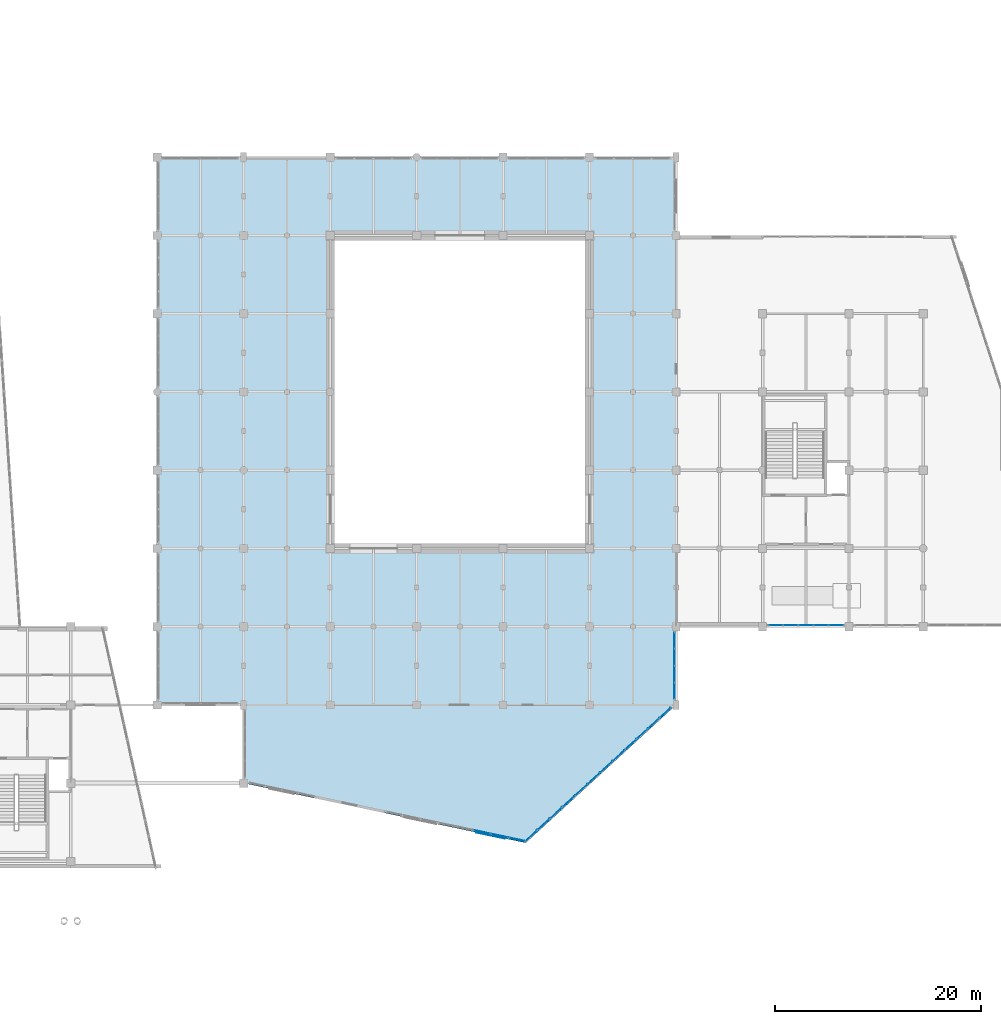
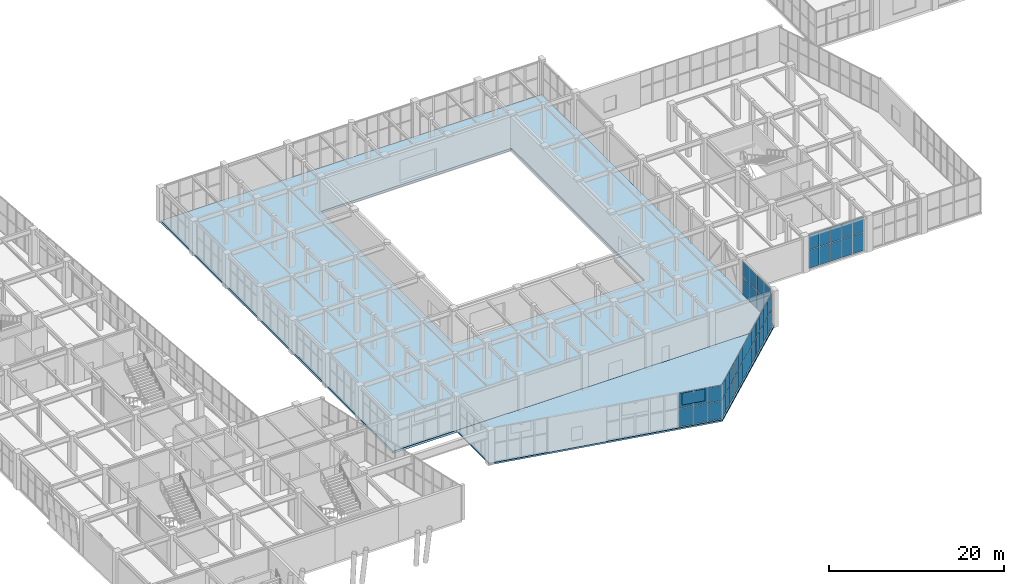
# One storey, part 97 of 128: 49 plates, 2 slabs, 6 elements without a shape of their own.
"""IFC4 building model written with IfcOpenShell, lengths in metres."""

from ifc_helpers import new_model, si_unit, direction, frame, origin, origin_2d, place, context, subcontext, project, spatial, polyline, rectangle, outline, extrude, material, layer, layer_set, type_object, element, aggregate, save


model = new_model("IFC4")

# Units and contexts
model_context = context("Model", 3, precision=1e-05, world=origin(), true_north=direction((0.0, 1.0)))
body_context = subcontext(model_context, "Body", "Model", "MODEL_VIEW")
ifc_project = project(units=[si_unit("LENGTHUNIT", "METRE"), si_unit("AREAUNIT", "SQUARE_METRE"), si_unit("VOLUMEUNIT", "CUBIC_METRE"), si_unit("PLANEANGLEUNIT", "RADIAN"), si_unit("MASSUNIT", "GRAM", prefix="KILO")], contexts=[model_context])

# Site, building, storey
site_placement = place(None, origin())
site = spatial("IfcSite", under=ifc_project, at=site_placement, CompositionType="ELEMENT")
building_placement = place(site_placement, origin())
building = spatial("IfcBuilding", under=site, at=building_placement, Name="Xicomal Pleat Aquarium", CompositionType="ELEMENT")
storey_placement = place(building_placement, frame((0.0, 0.0, 5.39990234375)))
storey = spatial("IfcBuildingStorey", under=building, at=storey_placement, Name="L02", CompositionType="ELEMENT", Elevation=5.39990234375)

# Curtain wall, plates
ifc_material_1 = material(Name="Bronze anodized aluminium 6063-T6", Category="aluminium")
ifc_layer_1 = layer(ifc_material_1, 0.159912109375)
ifc_layer_set_1 = layer_set([ifc_layer_1], Name="Bronze anodized aluminium 6063-T6")
curtain_wall_type_1 = type_object("IfcCurtainWallType", Name="CW-SYS-02", PredefinedType="NOTDEFINED", material=ifc_layer_set_1)
curtain_wall_1_placement = place(storey_placement, origin())
curtain_wall_1 = element("IfcCurtainWall", 1, at=curtain_wall_1_placement, inside=storey, type_object=curtain_wall_type_1, Name="L02 unitised curtain wall CW-L02-120", PredefinedType="NOTDEFINED")
ifc_material_2 = material(Name="Insulated low-E laminated glass", Category="glass")
ifc_layer_2 = layer(ifc_material_2, 0.028076171875)
ifc_layer_set_2 = layer_set([ifc_layer_2], Name="Insulated low-E laminated glass")
plate_type_1 = type_object("IfcPlateType", Name="CWP-GLZ-28", PredefinedType="CURTAIN_PANEL", material=ifc_layer_set_2)
plate_1_placement = place(storey_placement, frame((88.617919921875, 25.466796875, 0.06494140625), z_axis=(0.0, 0.0, 1.0), x_axis=(-0.736739207358, -0.676177003707, 0.0)))
plate_1 = element("IfcPlate", 2, at=plate_1_placement, type_object=plate_type_1, Name="CW-02 panel 1.1", PredefinedType="CURTAIN_PANEL", context=body_context, shape_type="SweptSolid", body=[
    extrude(rectangle(XDim=1.5537109375, YDim=0.028076171875, at=origin_2d()), origin(), (0.0, 0.0, 1.0), 2.526611328125),
])
plate_2_placement = place(storey_placement, frame((88.617919921875, 25.466796875, 2.65673828125), z_axis=(0.0, 0.0, 1.0), x_axis=(-0.736739207358, -0.676177003707, 0.0)))
plate_2 = element("IfcPlate", 3, at=plate_2_placement, type_object=plate_type_1, Name="CW-02 panel 1.2", PredefinedType="CURTAIN_PANEL", context=body_context, shape_type="SweptSolid", body=[
    extrude(rectangle(XDim=1.5537109375, YDim=0.028076171875, at=origin_2d()), origin(), (0.0, 0.0, 1.0), 2.138427734375),
])
plate_3_placement = place(storey_placement, frame((87.413330078125, 24.361328125, 0.06494140625), z_axis=(0.0, 0.0, 1.0), x_axis=(-0.736739207358, -0.676177003707, 0.0)))
plate_3 = element("IfcPlate", 4, at=plate_3_placement, type_object=plate_type_1, Name="CW-02 panel 2.1", PredefinedType="CURTAIN_PANEL", context=body_context, shape_type="SweptSolid", body=[
    extrude(rectangle(XDim=1.586181640625, YDim=0.028076171875, at=origin_2d()), origin(), (0.0, 0.0, 1.0), 2.526611328125),
])
plate_4_placement = place(storey_placement, frame((87.413330078125, 24.361328125, 2.65673828125), z_axis=(0.0, 0.0, 1.0), x_axis=(-0.736739207358, -0.676177003707, 0.0)))
plate_4 = element("IfcPlate", 5, at=plate_4_placement, type_object=plate_type_1, Name="CW-02 panel 2.2", PredefinedType="CURTAIN_PANEL", context=body_context, shape_type="SweptSolid", body=[
    extrude(rectangle(XDim=1.586181640625, YDim=0.028076171875, at=origin_2d()), origin(), (0.0, 0.0, 1.0), 2.138427734375),
])
plate_5_placement = place(storey_placement, frame((86.19677734375, 23.24462890625, 0.06494140625), z_axis=(0.0, 0.0, 1.0), x_axis=(-0.736739207358, -0.676177003707, 0.0)))
plate_5 = element("IfcPlate", 6, at=plate_5_placement, type_object=plate_type_1, Name="CW-02 panel 3.1", PredefinedType="CURTAIN_PANEL", context=body_context, shape_type="SweptSolid", body=[
    extrude(rectangle(XDim=1.586181640625, YDim=0.028076171875, at=origin_2d()), origin(), (0.0, 0.0, 1.0), 2.526611328125),
])
plate_6_placement = place(storey_placement, frame((86.19677734375, 23.24462890625, 2.65673828125), z_axis=(0.0, 0.0, 1.0), x_axis=(-0.736739207358, -0.676177003707, 0.0)))
plate_6 = element("IfcPlate", 7, at=plate_6_placement, type_object=plate_type_1, Name="CW-02 panel 3.2", PredefinedType="CURTAIN_PANEL", context=body_context, shape_type="SweptSolid", body=[
    extrude(rectangle(XDim=1.586181640625, YDim=0.028076171875, at=origin_2d()), origin(), (0.0, 0.0, 1.0), 2.138427734375),
])
plate_7_placement = place(storey_placement, frame((84.9921875, 22.13916015625, 0.06494140625), z_axis=(0.0, 0.0, 1.0), x_axis=(-0.736739207358, -0.676177003707, 0.0)))
plate_7 = element("IfcPlate", 8, at=plate_7_placement, type_object=plate_type_1, Name="CW-02 panel 4.1", PredefinedType="CURTAIN_PANEL", context=body_context, shape_type="SweptSolid", body=[
    extrude(rectangle(XDim=1.5537109375, YDim=0.028076171875, at=origin_2d()), origin(), (0.0, 0.0, 1.0), 2.526611328125),
])
plate_8_placement = place(storey_placement, frame((84.9921875, 22.13916015625, 2.65673828125), z_axis=(0.0, 0.0, 1.0), x_axis=(-0.736739207358, -0.676177003707, 0.0)))
plate_8 = element("IfcPlate", 9, at=plate_8_placement, type_object=plate_type_1, Name="CW-02 panel 4.2", PredefinedType="CURTAIN_PANEL", context=body_context, shape_type="SweptSolid", body=[
    extrude(rectangle(XDim=1.5537109375, YDim=0.028076171875, at=origin_2d()), origin(), (0.0, 0.0, 1.0), 2.138427734375),
])
aggregate(curtain_wall_1, [plate_1, plate_2, plate_3, plate_4, plate_5, plate_6, plate_7, plate_8])

curtain_wall_2_placement = place(storey_placement, origin())
curtain_wall_2 = element("IfcCurtainWall", 10, at=curtain_wall_2_placement, inside=storey, type_object=curtain_wall_type_1, Name="L02 unitised curtain wall CW-L02-117", PredefinedType="NOTDEFINED")
ifc_material_3 = material(Name="Insulated low-E laminated glass", Category="glass")
ifc_layer_3 = layer(ifc_material_3, 0.031982421875)
ifc_layer_set_3 = layer_set([ifc_layer_3], Name="Insulated low-E laminated glass")
plate_type_2 = type_object("IfcPlateType", Name="CWP-GLZ-32", PredefinedType="CURTAIN_PANEL", material=ifc_layer_set_3)
plate_9_placement = place(storey_placement, frame((109.727783203125, 38.139892578125, 0.06494140625), z_axis=(0.0, 0.0, 1.0), x_axis=(-1.0, 0.0, 0.0)))
plate_9 = element("IfcPlate", 11, at=plate_9_placement, type_object=plate_type_2, Name="CW-02 panel 1.1", PredefinedType="CURTAIN_PANEL", context=body_context, shape_type="SweptSolid", body=[
    extrude(rectangle(XDim=1.37451171875, YDim=0.031982421875, at=origin_2d()), origin(), (0.0, 0.0, 1.0), 2.526611328125),
])
plate_10_placement = place(storey_placement, frame((109.727783203125, 38.139892578125, 2.65673828125), z_axis=(0.0, 0.0, 1.0), x_axis=(-1.0, 0.0, 0.0)))
plate_10 = element("IfcPlate", 12, at=plate_10_placement, type_object=plate_type_2, Name="CW-02 panel 1.2", PredefinedType="CURTAIN_PANEL", context=body_context, shape_type="SweptSolid", body=[
    extrude(rectangle(XDim=1.37451171875, YDim=0.031982421875, at=origin_2d()), origin(), (0.0, 0.0, 1.0), 2.138427734375),
])
plate_11_placement = place(storey_placement, frame((108.27197265625, 38.139892578125, 0.06494140625), z_axis=(0.0, 0.0, 1.0), x_axis=(-1.0, 0.0, 0.0)))
plate_11 = element("IfcPlate", 13, at=plate_11_placement, type_object=plate_type_2, Name="CW-02 panel 2.1", PredefinedType="CURTAIN_PANEL", context=body_context, shape_type="SweptSolid", body=[
    extrude(rectangle(XDim=1.406982421875, YDim=0.031982421875, at=origin_2d()), origin(), (0.0, 0.0, 1.0), 2.526611328125),
])
plate_12_placement = place(storey_placement, frame((108.27197265625, 38.139892578125, 2.65673828125), z_axis=(0.0, 0.0, 1.0), x_axis=(-1.0, 0.0, 0.0)))
plate_12 = element("IfcPlate", 14, at=plate_12_placement, type_object=plate_type_2, Name="CW-02 panel 2.2", PredefinedType="CURTAIN_PANEL", context=body_context, shape_type="SweptSolid", body=[
    extrude(rectangle(XDim=1.406982421875, YDim=0.031982421875, at=origin_2d()), origin(), (0.0, 0.0, 1.0), 2.138427734375),
])
plate_13_placement = place(storey_placement, frame((106.800048828125, 38.139892578125, 0.06494140625), z_axis=(0.0, 0.0, 1.0), x_axis=(-1.0, 0.0, 0.0)))
plate_13 = element("IfcPlate", 15, at=plate_13_placement, type_object=plate_type_2, Name="CW-02 panel 3.1", PredefinedType="CURTAIN_PANEL", context=body_context, shape_type="SweptSolid", body=[
    extrude(rectangle(XDim=1.406982421875, YDim=0.031982421875, at=origin_2d()), origin(), (0.0, 0.0, 1.0), 2.526611328125),
])
plate_14_placement = place(storey_placement, frame((106.800048828125, 38.139892578125, 2.65673828125), z_axis=(0.0, 0.0, 1.0), x_axis=(-1.0, 0.0, 0.0)))
plate_14 = element("IfcPlate", 16, at=plate_14_placement, type_object=plate_type_2, Name="CW-02 panel 3.2", PredefinedType="CURTAIN_PANEL", context=body_context, shape_type="SweptSolid", body=[
    extrude(rectangle(XDim=1.406982421875, YDim=0.031982421875, at=origin_2d()), origin(), (0.0, 0.0, 1.0), 2.138427734375),
])
plate_15_placement = place(storey_placement, frame((105.327880859375, 38.139892578125, 0.06494140625), z_axis=(0.0, 0.0, 1.0), x_axis=(-1.0, 0.0, 0.0)))
plate_15 = element("IfcPlate", 17, at=plate_15_placement, type_object=plate_type_2, Name="CW-02 panel 4.1", PredefinedType="CURTAIN_PANEL", context=body_context, shape_type="SweptSolid", body=[
    extrude(rectangle(XDim=1.406982421875, YDim=0.031982421875, at=origin_2d()), origin(), (0.0, 0.0, 1.0), 2.526611328125),
])
plate_16_placement = place(storey_placement, frame((105.327880859375, 38.139892578125, 2.65673828125), z_axis=(0.0, 0.0, 1.0), x_axis=(-1.0, 0.0, 0.0)))
plate_16 = element("IfcPlate", 18, at=plate_16_placement, type_object=plate_type_2, Name="CW-02 panel 4.2", PredefinedType="CURTAIN_PANEL", context=body_context, shape_type="SweptSolid", body=[
    extrude(rectangle(XDim=1.406982421875, YDim=0.031982421875, at=origin_2d()), origin(), (0.0, 0.0, 1.0), 2.138427734375),
])
plate_17_placement = place(storey_placement, frame((103.872314453125, 38.139892578125, 0.06494140625), z_axis=(0.0, 0.0, 1.0), x_axis=(-1.0, 0.0, 0.0)))
plate_17 = element("IfcPlate", 19, at=plate_17_placement, type_object=plate_type_2, Name="CW-02 panel 5.1", PredefinedType="CURTAIN_PANEL", context=body_context, shape_type="SweptSolid", body=[
    extrude(rectangle(XDim=1.37451171875, YDim=0.031982421875, at=origin_2d()), origin(), (0.0, 0.0, 1.0), 2.526611328125),
])
plate_18_placement = place(storey_placement, frame((103.872314453125, 38.139892578125, 2.65673828125), z_axis=(0.0, 0.0, 1.0), x_axis=(-1.0, 0.0, 0.0)))
plate_18 = element("IfcPlate", 20, at=plate_18_placement, type_object=plate_type_2, Name="CW-02 panel 5.2", PredefinedType="CURTAIN_PANEL", context=body_context, shape_type="SweptSolid", body=[
    extrude(rectangle(XDim=1.37451171875, YDim=0.031982421875, at=origin_2d()), origin(), (0.0, 0.0, 1.0), 2.138427734375),
])
aggregate(curtain_wall_2, [plate_9, plate_10, plate_11, plate_12, plate_13, plate_14, plate_15, plate_16, plate_17, plate_18])

ifc_material_4 = material(Name="Bronze anodized aluminium 6063-T6", Category="aluminium")
ifc_layer_4 = layer(ifc_material_4, 0.159912109375)
ifc_layer_set_4 = layer_set([ifc_layer_4], Name="Bronze anodized aluminium 6063-T6")
curtain_wall_type_2 = type_object("IfcCurtainWallType", Name="CW-SYS-07", PredefinedType="NOTDEFINED", material=ifc_layer_set_4)
curtain_wall_3_placement = place(storey_placement, origin())
curtain_wall_3 = element("IfcCurtainWall", 21, at=curtain_wall_3_placement, inside=storey, type_object=curtain_wall_type_2, Name="L02 unitised curtain wall CW-L02-121", PredefinedType="NOTDEFINED")
plate_19_placement = place(storey_placement, frame((83.749755859375, 20.998779296875, 0.0751953125), z_axis=(0.0, 0.0, 1.0), x_axis=(-0.736733008475, -0.676183757735, 0.0)))
plate_19 = element("IfcPlate", 22, at=plate_19_placement, type_object=plate_type_2, Name="CW-07 panel 1.1", PredefinedType="CURTAIN_PANEL", context=body_context, shape_type="SweptSolid", body=[
    extrude(rectangle(XDim=1.5390625, YDim=0.031982421875, at=origin_2d()), origin(), (0.0, 0.0, 1.0), 2.511474609375),
])
plate_20_placement = place(storey_placement, frame((83.749755859375, 20.998779296875, 2.66162109375), z_axis=(0.0, 0.0, 1.0), x_axis=(-0.736733008475, -0.676183757735, 0.0)))
plate_20 = element("IfcPlate", 23, at=plate_20_placement, type_object=plate_type_2, Name="CW-07 panel 1.2", PredefinedType="CURTAIN_PANEL", context=body_context, shape_type="SweptSolid", body=[
    extrude(rectangle(XDim=1.5390625, YDim=0.031982421875, at=origin_2d()), origin(), (0.0, 0.0, 1.0), 2.12353515625),
])
plate_21_placement = place(storey_placement, frame((82.546875, 19.89501953125, 0.0751953125), z_axis=(0.0, 0.0, 1.0), x_axis=(-0.736733008475, -0.676183757735, 0.0)))
plate_21 = element("IfcPlate", 24, at=plate_21_placement, type_object=plate_type_2, Name="CW-07 panel 2.1", PredefinedType="CURTAIN_PANEL", context=body_context, shape_type="SweptSolid", body=[
    extrude(rectangle(XDim=1.576416015625, YDim=0.031982421875, at=origin_2d()), origin(), (0.0, 0.0, 1.0), 2.511474609375),
])
plate_22_placement = place(storey_placement, frame((82.546875, 19.89501953125, 2.66162109375), z_axis=(0.0, 0.0, 1.0), x_axis=(-0.736733008475, -0.676183757735, 0.0)))
plate_22 = element("IfcPlate", 25, at=plate_22_placement, type_object=plate_type_2, Name="CW-07 panel 2.2", PredefinedType="CURTAIN_PANEL", context=body_context, shape_type="SweptSolid", body=[
    extrude(rectangle(XDim=1.576416015625, YDim=0.031982421875, at=origin_2d()), origin(), (0.0, 0.0, 1.0), 2.12353515625),
])
plate_23_placement = place(storey_placement, frame((81.330078125, 18.778076171875, 0.0751953125), z_axis=(0.0, 0.0, 1.0), x_axis=(-0.736733008475, -0.676183757735, 0.0)))
plate_23 = element("IfcPlate", 26, at=plate_23_placement, type_object=plate_type_2, Name="CW-07 panel 3.1", PredefinedType="CURTAIN_PANEL", context=body_context, shape_type="SweptSolid", body=[
    extrude(rectangle(XDim=1.576416015625, YDim=0.031982421875, at=origin_2d()), origin(), (0.0, 0.0, 1.0), 2.511474609375),
])
plate_24_placement = place(storey_placement, frame((81.330078125, 18.778076171875, 2.66162109375), z_axis=(0.0, 0.0, 1.0), x_axis=(-0.736733008475, -0.676183757735, 0.0)))
plate_24 = element("IfcPlate", 27, at=plate_24_placement, type_object=plate_type_2, Name="CW-07 panel 3.2", PredefinedType="CURTAIN_PANEL", context=body_context, shape_type="SweptSolid", body=[
    extrude(rectangle(XDim=1.576416015625, YDim=0.031982421875, at=origin_2d()), origin(), (0.0, 0.0, 1.0), 2.12353515625),
])
plate_25_placement = place(storey_placement, frame((80.127197265625, 17.674072265625, 0.0751953125), z_axis=(0.0, 0.0, 1.0), x_axis=(-0.736733008475, -0.676183757735, 0.0)))
plate_25 = element("IfcPlate", 28, at=plate_25_placement, type_object=plate_type_2, Name="CW-07 panel 4.1", PredefinedType="CURTAIN_PANEL", context=body_context, shape_type="SweptSolid", body=[
    extrude(rectangle(XDim=1.5390625, YDim=0.031982421875, at=origin_2d()), origin(), (0.0, 0.0, 1.0), 2.511474609375),
])
plate_26_placement = place(storey_placement, frame((80.127197265625, 17.674072265625, 2.66162109375), z_axis=(0.0, 0.0, 1.0), x_axis=(-0.736733008475, -0.676183757735, 0.0)))
plate_26 = element("IfcPlate", 29, at=plate_26_placement, type_object=plate_type_2, Name="CW-07 panel 4.2", PredefinedType="CURTAIN_PANEL", context=body_context, shape_type="SweptSolid", body=[
    extrude(rectangle(XDim=1.5390625, YDim=0.031982421875, at=origin_2d()), origin(), (0.0, 0.0, 1.0), 2.12353515625),
])
aggregate(curtain_wall_3, [plate_19, plate_20, plate_21, plate_22, plate_23, plate_24, plate_25, plate_26])

curtain_wall_4_placement = place(storey_placement, origin())
curtain_wall_4 = element("IfcCurtainWall", 30, at=curtain_wall_4_placement, inside=storey, type_object=curtain_wall_type_2, Name="L02 unitised curtain wall CW-L02-118", PredefinedType="NOTDEFINED")
ifc_material_5 = material(Name="Insulated low-E laminated glass", Category="glass")
ifc_layer_5 = layer(ifc_material_5, 0.035888671875)
ifc_layer_set_5 = layer_set([ifc_layer_5], Name="Insulated low-E laminated glass")
plate_type_3 = type_object("IfcPlateType", Name="CWP-GLZ-36", PredefinedType="CURTAIN_PANEL", material=ifc_layer_set_5)
plate_27_placement = place(storey_placement, frame((94.06005859375, 36.64111328125, 0.0751953125), z_axis=(0.0, 0.0, 1.0), x_axis=(0.0, -1.0, 0.0)))
plate_27 = element("IfcPlate", 31, at=plate_27_placement, type_object=plate_type_3, Name="CW-07 panel 1.1", PredefinedType="CURTAIN_PANEL", context=body_context, shape_type="SweptSolid", body=[
    extrude(rectangle(XDim=1.527587890625, YDim=0.035888671875, at=origin_2d()), origin(), (0.0, 0.0, 1.0), 2.490478515625),
])
plate_28_placement = place(storey_placement, frame((94.06005859375, 36.64111328125, 2.640625), z_axis=(0.0, 0.0, 1.0), x_axis=(0.0, -1.0, 0.0)))
plate_28 = element("IfcPlate", 32, at=plate_28_placement, type_object=plate_type_3, Name="CW-07 panel 1.2", PredefinedType="CURTAIN_PANEL", context=body_context, shape_type="SweptSolid", body=[
    extrude(rectangle(XDim=1.527587890625, YDim=0.035888671875, at=origin_2d()), origin(), (0.0, 0.0, 1.0), 2.1044921875),
])
plate_29_placement = place(storey_placement, frame((94.06005859375, 35.02001953125, 0.0751953125), z_axis=(0.0, 0.0, 1.0), x_axis=(0.0, -1.0, 0.0)))
plate_29 = element("IfcPlate", 33, at=plate_29_placement, type_object=plate_type_3, Name="CW-07 panel 2.1", PredefinedType="CURTAIN_PANEL", context=body_context, shape_type="SweptSolid", body=[
    extrude(rectangle(XDim=1.56494140625, YDim=0.035888671875, at=origin_2d()), origin(), (0.0, 0.0, 1.0), 2.490478515625),
])
plate_30_placement = place(storey_placement, frame((94.06005859375, 35.02001953125, 2.640625), z_axis=(0.0, 0.0, 1.0), x_axis=(0.0, -1.0, 0.0)))
plate_30 = element("IfcPlate", 34, at=plate_30_placement, type_object=plate_type_3, Name="CW-07 panel 2.2", PredefinedType="CURTAIN_PANEL", context=body_context, shape_type="SweptSolid", body=[
    extrude(rectangle(XDim=1.56494140625, YDim=0.035888671875, at=origin_2d()), origin(), (0.0, 0.0, 1.0), 2.1044921875),
])
plate_31_placement = place(storey_placement, frame((94.06005859375, 33.3798828125, 0.0751953125), z_axis=(0.0, 0.0, 1.0), x_axis=(0.0, -1.0, 0.0)))
plate_31 = element("IfcPlate", 35, at=plate_31_placement, type_object=plate_type_3, Name="CW-07 panel 3.1", PredefinedType="CURTAIN_PANEL", context=body_context, shape_type="SweptSolid", body=[
    extrude(rectangle(XDim=1.56494140625, YDim=0.035888671875, at=origin_2d()), origin(), (0.0, 0.0, 1.0), 2.490478515625),
])
plate_32_placement = place(storey_placement, frame((94.06005859375, 33.3798828125, 2.640625), z_axis=(0.0, 0.0, 1.0), x_axis=(0.0, -1.0, 0.0)))
plate_32 = element("IfcPlate", 36, at=plate_32_placement, type_object=plate_type_3, Name="CW-07 panel 3.2", PredefinedType="CURTAIN_PANEL", context=body_context, shape_type="SweptSolid", body=[
    extrude(rectangle(XDim=1.56494140625, YDim=0.035888671875, at=origin_2d()), origin(), (0.0, 0.0, 1.0), 2.1044921875),
])
plate_33_placement = place(storey_placement, frame((94.06005859375, 31.7587890625, 0.0751953125), z_axis=(0.0, 0.0, 1.0), x_axis=(0.0, -1.0, 0.0)))
plate_33 = element("IfcPlate", 37, at=plate_33_placement, type_object=plate_type_3, Name="CW-07 panel 4.1", PredefinedType="CURTAIN_PANEL", context=body_context, shape_type="SweptSolid", body=[
    extrude(rectangle(XDim=1.527587890625, YDim=0.035888671875, at=origin_2d()), origin(), (0.0, 0.0, 1.0), 2.490478515625),
])
plate_34_placement = place(storey_placement, frame((94.06005859375, 31.7587890625, 2.640625), z_axis=(0.0, 0.0, 1.0), x_axis=(0.0, -1.0, 0.0)))
plate_34 = element("IfcPlate", 38, at=plate_34_placement, type_object=plate_type_3, Name="CW-07 panel 4.2", PredefinedType="CURTAIN_PANEL", context=body_context, shape_type="SweptSolid", body=[
    extrude(rectangle(XDim=1.527587890625, YDim=0.035888671875, at=origin_2d()), origin(), (0.0, 0.0, 1.0), 2.1044921875),
])
aggregate(curtain_wall_4, [plate_27, plate_28, plate_29, plate_30, plate_31, plate_32, plate_33, plate_34])

curtain_wall_5_placement = place(storey_placement, origin())
curtain_wall_5 = element("IfcCurtainWall", 39, at=curtain_wall_5_placement, inside=storey, type_object=curtain_wall_type_2, Name="L02 unitised curtain wall CW-L02-091", PredefinedType="NOTDEFINED")
ifc_material_6 = material(Name="Insulated low-E laminated glass", Category="glass")
ifc_layer_6 = layer(ifc_material_6, 0.0419921875)
ifc_layer_set_6 = layer_set([ifc_layer_6], Name="Insulated low-E laminated glass")
plate_type_4 = type_object("IfcPlateType", Name="CWP-GLZ-42", PredefinedType="CURTAIN_PANEL", material=ifc_layer_set_6)
plate_35_placement = place(storey_placement, frame((78.75439453125, 17.322021484375, 0.0751953125), z_axis=(0.0, 0.0, 1.0), x_axis=(-0.978321888486, 0.207090034789, 0.0)))
plate_35 = element("IfcPlate", 40, at=plate_35_placement, type_object=plate_type_4, Name="CW-07 panel 1.1", PredefinedType="CURTAIN_PANEL", context=body_context, shape_type="SweptSolid", body=[
    extrude(rectangle(XDim=1.637939453125, YDim=0.0419921875, at=origin_2d()), origin(), (0.0, 0.0, 1.0), 2.511474609375),
])
plate_36_placement = place(storey_placement, frame((78.75439453125, 17.322021484375, 2.66162109375), z_axis=(0.0, 0.0, 1.0), x_axis=(-0.978321888486, 0.207090034789, 0.0)))
plate_36 = element("IfcPlate", 41, at=plate_36_placement, type_object=plate_type_4, Name="CW-07 panel 1.2", PredefinedType="CURTAIN_PANEL", context=body_context, shape_type="SweptSolid", body=[
    extrude(rectangle(XDim=1.637939453125, YDim=0.0419921875, at=origin_2d()), origin(), (0.0, 0.0, 1.0), 2.12353515625),
])
plate_37_placement = place(storey_placement, frame((77.060302734375, 17.6806640625, 0.0751953125), z_axis=(0.0, 0.0, 1.0), x_axis=(-0.978321888486, 0.207090034789, 0.0)))
plate_37 = element("IfcPlate", 42, at=plate_37_placement, type_object=plate_type_4, Name="CW-07 panel 2.1", PredefinedType="CURTAIN_PANEL", context=body_context, shape_type="SweptSolid", body=[
    extrude(rectangle(XDim=1.67529296875, YDim=0.0419921875, at=origin_2d()), origin(), (0.0, 0.0, 1.0), 2.511474609375),
])
plate_38_placement = place(storey_placement, frame((77.060302734375, 17.6806640625, 2.66162109375), z_axis=(0.0, 0.0, 1.0), x_axis=(-0.978321888486, 0.207090034789, 0.0)))
plate_38 = element("IfcPlate", 43, at=plate_38_placement, type_object=plate_type_4, Name="CW-07 panel 2.2", PredefinedType="CURTAIN_PANEL", context=body_context, shape_type="SweptSolid", body=[
    extrude(rectangle(XDim=1.67529296875, YDim=0.0419921875, at=origin_2d()), origin(), (0.0, 0.0, 1.0), 2.12353515625),
])
plate_39_placement = place(storey_placement, frame((75.347900390625, 18.043212890625, 0.0751953125), z_axis=(0.0, 0.0, 1.0), x_axis=(-0.978321888486, 0.207090034789, 0.0)))
plate_39 = element("IfcPlate", 44, at=plate_39_placement, type_object=plate_type_4, Name="CW-07 panel 3.1", PredefinedType="CURTAIN_PANEL", context=body_context, shape_type="SweptSolid", body=[
    extrude(rectangle(XDim=1.67529296875, YDim=0.0419921875, at=origin_2d()), origin(), (0.0, 0.0, 1.0), 2.511474609375),
])
plate_40_placement = place(storey_placement, frame((75.347900390625, 18.043212890625, 2.66162109375), z_axis=(0.0, 0.0, 1.0), x_axis=(-0.978321888486, 0.207090034789, 0.0)))
plate_40 = element("IfcPlate", 45, at=plate_40_placement, type_object=plate_type_4, Name="CW-07 panel 3.2", PredefinedType="CURTAIN_PANEL", context=body_context, shape_type="SweptSolid", body=[
    extrude(rectangle(XDim=1.67529296875, YDim=0.0419921875, at=origin_2d()), origin(), (0.0, 0.0, 1.0), 2.12353515625),
])
aggregate(curtain_wall_5, [plate_35, plate_36, plate_37, plate_38, plate_39, plate_40])

ifc_material_7 = material(Name="Bronze anodized aluminium 6063-T6", Category="aluminium")
ifc_layer_7 = layer(ifc_material_7, 0.159912109375)
ifc_layer_set_7 = layer_set([ifc_layer_7], Name="Bronze anodized aluminium 6063-T6")
curtain_wall_type_3 = type_object("IfcCurtainWallType", Name="CW-SYS-12", PredefinedType="NOTDEFINED", material=ifc_layer_set_7)
curtain_wall_6_placement = place(storey_placement, origin())
curtain_wall_6 = element("IfcCurtainWall", 46, at=curtain_wall_6_placement, inside=storey, type_object=curtain_wall_type_3, Name="L02 unitised curtain wall CW-L02-119", PredefinedType="NOTDEFINED")
plate_41_placement = place(storey_placement, frame((93.145751953125, 29.623046875, 0.0849609375), z_axis=(0.0, 0.0, 1.0), x_axis=(-0.736690226104, -0.676230368116, 0.0)))
plate_41 = element("IfcPlate", 47, at=plate_41_placement, type_object=plate_type_4, Name="CW-12 panel 1.1", PredefinedType="CURTAIN_PANEL", context=body_context, shape_type="SweptSolid", body=[
    extrude(rectangle(XDim=1.394287109375, YDim=0.0419921875, at=origin_2d()), origin(), (0.0, 0.0, 1.0), 2.49658203125),
])
plate_42_placement = place(storey_placement, frame((93.145751953125, 29.623046875, 2.66650390625), z_axis=(0.0, 0.0, 1.0), x_axis=(-0.736690226104, -0.676230368116, 0.0)))
plate_42 = element("IfcPlate", 48, at=plate_42_placement, type_object=plate_type_4, Name="CW-12 panel 1.2", PredefinedType="CURTAIN_PANEL", context=body_context, shape_type="SweptSolid", body=[
    extrude(rectangle(XDim=1.394287109375, YDim=0.0419921875, at=origin_2d()), origin(), (0.0, 0.0, 1.0), 2.1083984375),
])
plate_43_placement = place(storey_placement, frame((92.04052734375, 28.6083984375, 0.0849609375), z_axis=(0.0, 0.0, 1.0), x_axis=(-0.736690226104, -0.676230368116, 0.0)))
plate_43 = element("IfcPlate", 49, at=plate_43_placement, type_object=plate_type_4, Name="CW-12 panel 2.1", PredefinedType="CURTAIN_PANEL", context=body_context, shape_type="SweptSolid", body=[
    extrude(rectangle(XDim=1.436767578125, YDim=0.0419921875, at=origin_2d()), origin(), (0.0, 0.0, 1.0), 2.49658203125),
])
plate_44_placement = place(storey_placement, frame((92.04052734375, 28.6083984375, 2.66650390625), z_axis=(0.0, 0.0, 1.0), x_axis=(-0.736690226104, -0.676230368116, 0.0)))
plate_44 = element("IfcPlate", 50, at=plate_44_placement, type_object=plate_type_4, Name="CW-12 panel 2.2", PredefinedType="CURTAIN_PANEL", context=body_context, shape_type="SweptSolid", body=[
    extrude(rectangle(XDim=1.436767578125, YDim=0.0419921875, at=origin_2d()), origin(), (0.0, 0.0, 1.0), 2.1083984375),
])
plate_45_placement = place(storey_placement, frame((90.91943359375, 27.57958984375, 0.0849609375), z_axis=(0.0, 0.0, 1.0), x_axis=(-0.736690226104, -0.676230368116, 0.0)))
plate_45 = element("IfcPlate", 51, at=plate_45_placement, type_object=plate_type_4, Name="CW-12 panel 3.1", PredefinedType="CURTAIN_PANEL", context=body_context, shape_type="SweptSolid", body=[
    extrude(rectangle(XDim=1.436767578125, YDim=0.0419921875, at=origin_2d()), origin(), (0.0, 0.0, 1.0), 2.49658203125),
])
plate_46_placement = place(storey_placement, frame((90.91943359375, 27.57958984375, 2.66650390625), z_axis=(0.0, 0.0, 1.0), x_axis=(-0.736690226104, -0.676230368116, 0.0)))
plate_46 = element("IfcPlate", 52, at=plate_46_placement, type_object=plate_type_4, Name="CW-12 panel 3.2", PredefinedType="CURTAIN_PANEL", context=body_context, shape_type="SweptSolid", body=[
    extrude(rectangle(XDim=1.436767578125, YDim=0.0419921875, at=origin_2d()), origin(), (0.0, 0.0, 1.0), 2.1083984375),
])
plate_47_placement = place(storey_placement, frame((89.814208984375, 26.56494140625, 0.0849609375), z_axis=(0.0, 0.0, 1.0), x_axis=(-0.736690226104, -0.676230368116, 0.0)))
plate_47 = element("IfcPlate", 53, at=plate_47_placement, type_object=plate_type_4, Name="CW-12 panel 4.1", PredefinedType="CURTAIN_PANEL", context=body_context, shape_type="SweptSolid", body=[
    extrude(rectangle(XDim=1.394287109375, YDim=0.0419921875, at=origin_2d()), origin(), (0.0, 0.0, 1.0), 2.49658203125),
])
plate_48_placement = place(storey_placement, frame((89.814208984375, 26.56494140625, 2.66650390625), z_axis=(0.0, 0.0, 1.0), x_axis=(-0.736690226104, -0.676230368116, 0.0)))
plate_48 = element("IfcPlate", 54, at=plate_48_placement, type_object=plate_type_4, Name="CW-12 panel 4.2", PredefinedType="CURTAIN_PANEL", context=body_context, shape_type="SweptSolid", body=[
    extrude(rectangle(XDim=1.394287109375, YDim=0.0419921875, at=origin_2d()), origin(), (0.0, 0.0, 1.0), 2.1083984375),
])
aggregate(curtain_wall_6, [plate_41, plate_42, plate_43, plate_44, plate_45, plate_46, plate_47, plate_48])

# Plate
ifc_material_8 = material(Name="Perforated bronze anodized aluminium", Category="aluminium")
ifc_layer_8 = layer(ifc_material_8, 0.02001953125)
ifc_layer_set_8 = layer_set([ifc_layer_8], Name="Perforated bronze anodized aluminium")
plate_type_5 = type_object("IfcPlateType", Name="PLT-SUN-20", PredefinedType="USERDEFINED", material=ifc_layer_set_8)
plate_49_placement = place(storey_placement, frame((76.1708984375, 17.705078125, 3.14013671875), z_axis=(0.0, 0.0, 1.0), x_axis=(-0.978328665438, 0.207058016949, 0.0)))
element("IfcPlate", 55, at=plate_49_placement, inside=storey, type_object=plate_type_5, Name="L02 perforated solar sunshade 49", ObjectType="SUNSHADE PANEL", PredefinedType="USERDEFINED", context=body_context, shape_type="SweptSolid", body=[
    extrude(rectangle(XDim=2.800048828125, YDim=0.02001953125, at=origin_2d()), origin(), (0.0, 0.0, 1.0), 1.679931640625),
])

# Slabs
ifc_material_9 = material(Name="Concrete C35/45", Category="concrete")
ifc_layer_9 = layer(ifc_material_9, 0.22509765625)
ifc_layer_set_9 = layer_set([ifc_layer_9], Name="Concrete C35/45")
slab_type_1 = type_object("IfcSlabType", Name="SLB-FLR-225", PredefinedType="FLOOR", material=ifc_layer_set_9)
slab_1_placement = place(storey_placement, frame((0.0, 0.0, -0.224853515625)))
element("IfcSlab", 56, at=slab_1_placement, inside=storey, type_object=slab_type_1, Name="L02 structural slab V2", PredefinedType="FLOOR", context=body_context, shape_type="SweptSolid", body=[
    extrude(outline(polyline([(79.60009765625, 17.0), (52.199951171875, 22.800048828125), (52.199951171875, 30.39990234375), (94.199951171875, 30.39990234375), (79.60009765625, 17.0)])), origin(), (0.0, 0.0, 1.0), 0.224853515625),
])
ifc_material_10 = material(Name="Concrete C40/50", Category="concrete")
ifc_layer_10 = layer(ifc_material_10, 0.300048828125)
ifc_layer_set_10 = layer_set([ifc_layer_10], Name="Concrete C40/50")
slab_type_2 = type_object("IfcSlabType", Name="SLB-FLR-300", PredefinedType="FLOOR", material=ifc_layer_set_10)
slab_2_placement = place(storey_placement, frame((0.0, 0.0, -0.2998046875)))
element("IfcSlab", 57, at=slab_2_placement, inside=storey, type_object=slab_type_2, Name="L02 structural slab V1", PredefinedType="FLOOR", context=body_context, shape_type="SweptSolid", body=[
    extrude(outline(polyline([(43.800048828125, 83.60009765625), (94.199951171875, 83.60009765625), (94.199951171875, 30.39990234375), (43.800048828125, 30.39990234375), (43.800048828125, 83.60009765625)]), holes=[polyline([(60.60009765625, 45.60009765625), (85.800048828125, 45.60009765625), (85.800048828125, 76.0), (60.60009765625, 76.0), (60.60009765625, 45.60009765625)])]), origin(), (0.0, 0.0, 1.0), 0.2998046875),
])

save(model, "model.ifc")
